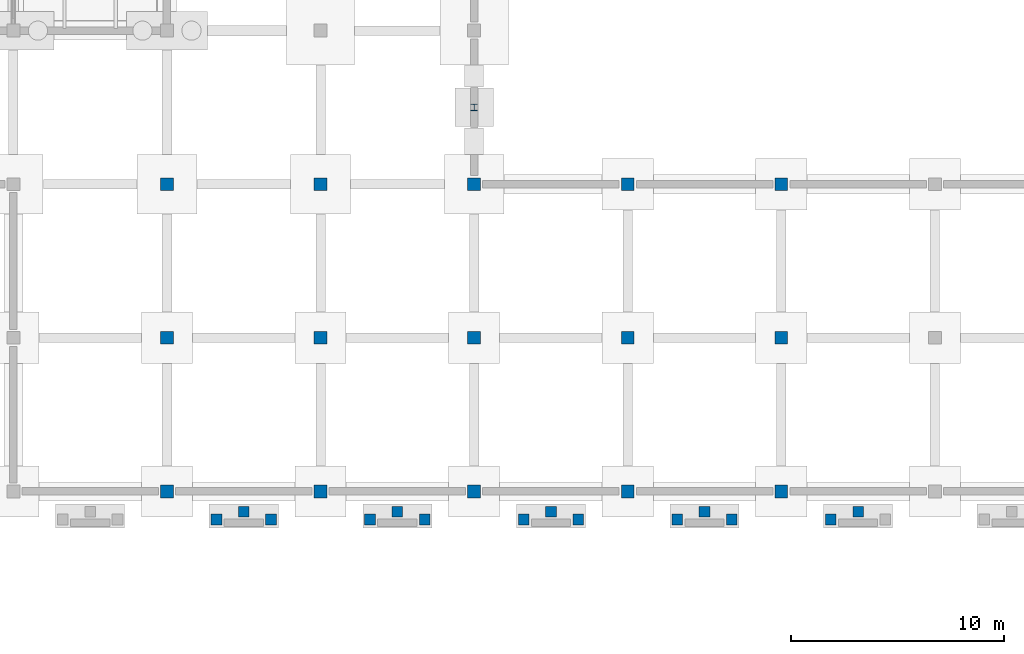
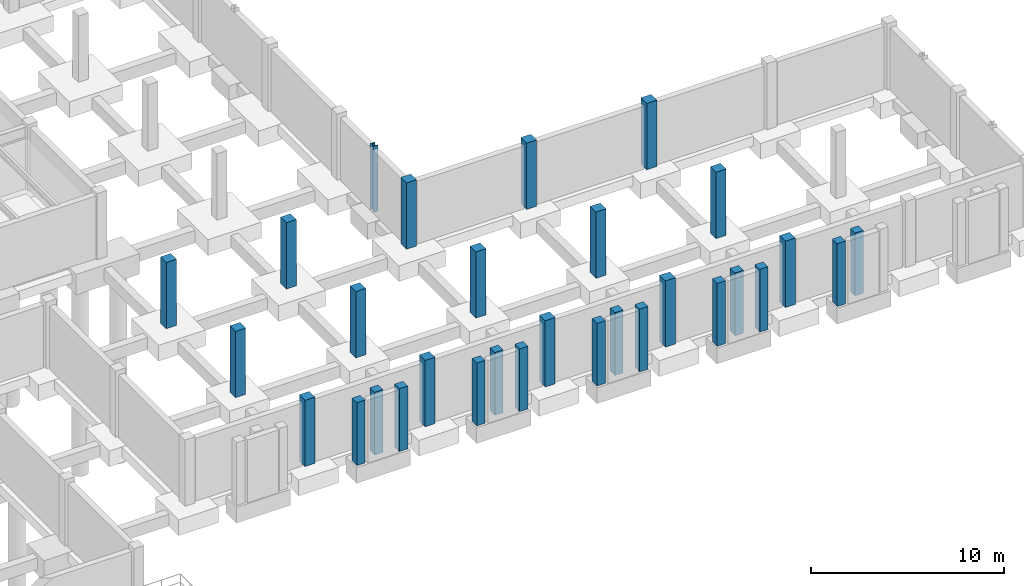
# One storey, part 20 of 46: 30 columns.
"""IFC4 building model written with IfcOpenShell, lengths in metres."""

import ifcopenshell
import ifcopenshell.guid

model = None  # the IFC model being written
_history = None  # IfcOwnerHistory: only IFC2X3 demands one
_inside = {}  # id of a spatial element -> (the spatial element, [elements in it])
_under = {}  # id of a project, library or spatial element -> (it, [spatial elements below it])
_declared = {}  # id of a project -> (the project, [libraries it declares])
_typed = {}  # id of a type object -> (the type object, [elements of that type])
_made_of = {}  # id of a material, layer set ... -> (it, [elements and type objects made of it])


def new_model(schema):
    """Start an empty IFC model of exactly this schema.

    Asked for "IFC4X3", IfcOpenShell would pick the latest addendum, in which some entities
    have other attributes; the version numbers below select the first issue.
    IFC2X3 requires an IfcOwnerHistory on every rooted entity: one is made here for all.
    """
    global model, _history
    if schema == "IFC4X3":
        model = ifcopenshell.file(schema_version=(4, 3, 0, 0))
    else:
        model = ifcopenshell.file(schema=schema)
    _inside.clear()
    _under.clear()
    _declared.clear()
    _typed.clear()
    _made_of.clear()
    _history = None
    if model.schema == "IFC2X3":
        org = make("IfcOrganization", Name="unknown")
        user = make(
            "IfcPersonAndOrganization",
            ThePerson=make("IfcPerson", FamilyName="unknown"),
            TheOrganization=org,
        )
        app = make(
            "IfcApplication",
            ApplicationDeveloper=org,
            Version="unknown",
            ApplicationFullName="unknown",
            ApplicationIdentifier="unknown",
        )
        _history = make(
            "IfcOwnerHistory",
            OwningUser=user,
            OwningApplication=app,
            ChangeAction="ADDED",
            CreationDate=0,
        )
    return model


def make(cls, **values):
    """One entity of the class cls with the attributes given. An attribute that is None is left unset."""
    return model.create_entity(
        cls, **{name: value for name, value in values.items() if value is not None}
    )


def rooted(cls, **values):
    """An entity with a GlobalId (a new one), such as an element, a storey or a relation."""
    return make(cls, GlobalId=ifcopenshell.guid.new(), OwnerHistory=_history, **values)


def si_unit(unit_type, name, prefix=None):
    """IfcSIUnit, for example si_unit("LENGTHUNIT", "METRE", prefix="MILLI")."""
    return make("IfcSIUnit", UnitType=unit_type, Prefix=prefix, Name=name)


def assignment(units):
    """IfcUnitAssignment: the units of a project."""
    return None if units is None else make("IfcUnitAssignment", Units=units)


def point(xyz):
    """IfcCartesianPoint."""
    return None if xyz is None else make("IfcCartesianPoint", Coordinates=xyz)


def direction(xyz):
    """IfcDirection."""
    return None if xyz is None else make("IfcDirection", DirectionRatios=xyz)


def frame(location, z_axis=None, x_axis=None):
    """IfcAxis2Placement3D, a coordinate frame: its origin and axes. An axis left out is left unset."""
    return make(
        "IfcAxis2Placement3D",
        Location=point(location),
        Axis=direction(z_axis),
        RefDirection=direction(x_axis),
    )


def frame_2d(location, x_axis=None):
    """IfcAxis2Placement2D, a coordinate frame in the plane: its origin and x axis."""
    return make(
        "IfcAxis2Placement2D", Location=point(location), RefDirection=direction(x_axis)
    )


def origin():
    """The frame at (0, 0, 0) with its axes left unset."""
    return frame((0.0, 0.0, 0.0))


def origin_2d():
    """The frame at (0, 0) in the plane with its x axis left unset."""
    return frame_2d((0.0, 0.0))


def place(relative_to, where):
    """IfcLocalPlacement: puts the frame where relative to a parent placement (None: the world)."""
    return make(
        "IfcLocalPlacement", PlacementRelTo=relative_to, RelativePlacement=where
    )


def context(
    kind, dimensions, precision=None, world=None, true_north=None, identifier=None
):
    """IfcGeometricRepresentationContext, for example the 3D "Model" context."""
    return make(
        "IfcGeometricRepresentationContext",
        ContextIdentifier=identifier,
        ContextType=kind,
        CoordinateSpaceDimension=dimensions,
        Precision=precision,
        WorldCoordinateSystem=world,
        TrueNorth=true_north,
    )


def subcontext(parent, identifier, kind, view, scale=None):
    """IfcGeometricRepresentationSubContext, for example "Body" below "Model"."""
    return make(
        "IfcGeometricRepresentationSubContext",
        ContextIdentifier=identifier,
        ContextType=kind,
        ParentContext=parent,
        TargetScale=scale,
        TargetView=view,
    )


def project(units=None, contexts=None):
    """IfcProject with its units and contexts."""
    return rooted(
        "IfcProject",
        Name="project",
        RepresentationContexts=contexts,
        UnitsInContext=assignment(units),
    )


def spatial(cls, under=None, at=None, **own):
    """A site, building, storey or space (cls), placed at a placement, below another one or the project."""
    s = rooted(cls, ObjectPlacement=at, **own)
    if under is not None:
        _under.setdefault(under.id(), (under, []))[1].append(s)
    return s


def profile(cls, at=None, kind="AREA", **sizes):
    """A parametric profile (cls). Its sizes go by their IFC names, for example OverallWidth=200.0."""
    return make(cls, ProfileType=kind, Position=at, **sizes)


def rectangle(**sizes):
    """IfcRectangleProfileDef."""
    return profile("IfcRectangleProfileDef", **sizes)


def i_section(**sizes):
    """IfcIShapeProfileDef."""
    return profile("IfcIShapeProfileDef", **sizes)


def extrude(swept, where, along, depth):
    """IfcExtrudedAreaSolid: the profile swept, set in the frame where, extruded along a direction by depth."""
    return make(
        "IfcExtrudedAreaSolid",
        SweptArea=swept,
        Position=where,
        ExtrudedDirection=direction(along),
        Depth=depth,
    )


def shape(context_of_items, identifier, shape_type, items):
    """IfcShapeRepresentation: the items that make up one representation, for example the "Body"."""
    return make(
        "IfcShapeRepresentation",
        ContextOfItems=context_of_items,
        RepresentationIdentifier=identifier,
        RepresentationType=shape_type,
        Items=items,
    )


def material(Name=None, Category=None):
    """IfcMaterial."""
    return make("IfcMaterial", Name=Name, Category=Category)


def material_profile(
    of_material, cross_section, Name=None, Category=None, Priority=None
):
    """IfcMaterialProfile: a cross section and its material."""
    return make(
        "IfcMaterialProfile",
        Name=Name,
        Material=of_material,
        Profile=cross_section,
        Priority=Priority,
        Category=Category,
    )


def profile_set(profiles, Name=None, composite=None):
    """IfcMaterialProfileSet."""
    return make(
        "IfcMaterialProfileSet",
        Name=Name,
        MaterialProfiles=profiles,
        CompositeProfile=composite,
    )


def made_of(thing, what):
    """Note that an element or type object is made of a material, layer set ...; save() writes the relation."""
    if what is not None:
        _made_of.setdefault(what.id(), (what, []))[1].append(thing)
    return thing


def type_object(cls, material=None, **own):
    """A type object (cls), such as IfcWallType, which elements share."""
    return made_of(rooted(cls, **own), material)


def element(
    cls,
    number,
    at=None,
    inside=None,
    cuts=None,
    type_object=None,
    material=None,
    context=None,
    identifier="Body",
    shape_type=None,
    held_by="IfcProductDefinitionShape",
    body=None,
    shapes=None,
    **own,
):
    """One element of the class cls, such as IfcWall. Its Tag is "e" and its number.

    at: its placement. inside: the storey or other place that contains it. cuts: it is an
    opening in that element (IfcRelVoidsElement). A single representation is given by context,
    identifier, shape_type and body (its items); several are given by shapes. held_by: the class
    of the entity that holds the representations. save() writes the other relations.
    """
    e = rooted(cls, Tag="e%d" % number, ObjectPlacement=at, **own)
    if body is not None:
        shapes = [shape(context, identifier, shape_type, body)]
    if shapes is not None:
        e.Representation = make(held_by, Representations=shapes)
    if inside is not None:
        _inside.setdefault(inside.id(), (inside, []))[1].append(e)
    if cuts is not None:
        rooted(
            "IfcRelVoidsElement", RelatingBuildingElement=cuts, RelatedOpeningElement=e
        )
    if type_object is not None:
        _typed.setdefault(type_object.id(), (type_object, []))[1].append(e)
    return made_of(e, material)


def aggregate(whole, parts):
    """IfcRelAggregates: a whole, such as a stair, and the parts it consists of."""
    return rooted("IfcRelAggregates", RelatingObject=whole, RelatedObjects=parts)


def save(model, path):
    """Write the relations noted so far, then the file.

    IfcRelAggregates (storeys below a building ...), IfcRelContainedInSpatialStructure (elements
    in a storey), IfcRelDefinesByType, IfcRelAssociatesMaterial and IfcRelDeclares: one each for
    every whole, place, type object, material and project.
    """
    for whole, parts in _under.values():
        aggregate(whole, parts)
    for where, things in _inside.values():
        rooted(
            "IfcRelContainedInSpatialStructure",
            RelatedElements=things,
            RelatingStructure=where,
        )
    for kind, things in _typed.values():
        rooted("IfcRelDefinesByType", RelatedObjects=things, RelatingType=kind)
    for what, things in _made_of.values():
        rooted("IfcRelAssociatesMaterial", RelatedObjects=things, RelatingMaterial=what)
    for by, libraries in _declared.values():
        rooted("IfcRelDeclares", RelatingContext=by, RelatedDefinitions=libraries)
    model.write(path)


model = new_model("IFC4")

# Units and contexts
model_context = context("Model", 3, precision=1e-05, world=origin(), true_north=direction((0.0, 1.0)))
body_context = subcontext(model_context, "Body", "Model", "MODEL_VIEW")
ifc_project = project(units=[si_unit("LENGTHUNIT", "METRE"), si_unit("AREAUNIT", "SQUARE_METRE"), si_unit("VOLUMEUNIT", "CUBIC_METRE"), si_unit("PLANEANGLEUNIT", "RADIAN"), si_unit("MASSUNIT", "GRAM", prefix="KILO")], contexts=[model_context])

# Site, building, storey
site_placement = place(None, origin())
site = spatial("IfcSite", under=ifc_project, at=site_placement, CompositionType="ELEMENT")
building_placement = place(site_placement, origin())
building = spatial("IfcBuilding", under=site, at=building_placement, Name="Sillqori Civic Hall", CompositionType="ELEMENT")
storey_placement = place(building_placement, frame((0.0, 0.0, -4.199951171875)))
storey = spatial("IfcBuildingStorey", under=building, at=storey_placement, Name="B01", CompositionType="ELEMENT", Elevation=-4.199951171875)

# Columns
ifc_material_1 = material(Name="Concrete C35/45 (H35)", Category="concrete")
ifc_material_profile_1 = material_profile(ifc_material_1, rectangle(XDim=0.5, YDim=0.5, at=origin_2d()), Name="RC 500x500")
ifc_profile_set_1 = profile_set([ifc_material_profile_1], Name="Concrete C35/45 (H35)")
column_type_1 = type_object("IfcColumnType", Name="COL-RC500", PredefinedType="COLUMN", material=ifc_profile_set_1)
for number, where, z_axis, x_axis, name in (
    (1, (131.919921875, 13.080078125, 0.0), (0.0, 0.0, 1.0), (1.0, 0.0, 0.0), "Members Library Pavilion Entrance subgrade pier 1"),
    (2, (134.47998046875, 13.080078125, 0.0), (0.0, 0.0, 1.0), (1.0, 0.0, 0.0), "Members Library Pavilion Entrance subgrade pier 2"),
    (3, (133.199951171875, 13.43994140625, 0.0), (0.0, 0.0, 1.0), (1.0, 0.0, 0.0), "Members Library Pavilion Entrance subgrade pier 3"),
    (4, (139.1201171875, 13.080078125, 0.0), (0.0, 0.0, 1.0), (1.0, 0.0, 0.0), "Members Library Central Portal subgrade pier 1"),
    (5, (141.679931640625, 13.080078125, 0.0), (0.0, 0.0, 1.0), (1.0, 0.0, 0.0), "Members Library Central Portal subgrade pier 2"),
    (6, (140.39990234375, 13.43994140625, 0.0), (0.0, 0.0, 1.0), (1.0, 0.0, 0.0), "Members Library Central Portal subgrade pier 3"),
    (7, (146.320068359375, 13.080078125, 0.0), (0.0, 0.0, 1.0), (1.0, 0.0, 0.0), "Library Garden East Promenade Exit subgrade pier 1"),
    (8, (148.8798828125, 13.080078125, 0.0), (0.0, 0.0, 1.0), (1.0, 0.0, 0.0), "Library Garden East Promenade Exit subgrade pier 2"),
    (9, (147.60009765625, 13.43994140625, 0.0), (0.0, 0.0, 1.0), (1.0, 0.0, 0.0), "Library Garden East Promenade Exit subgrade pier 3"),
    (10, (153.52001953125, 13.080078125, 0.0), (0.0, 0.0, 1.0), (1.0, 0.0, 0.0), "Library Cloister South Exit subgrade pier 1"),
    (11, (156.080078125, 13.080078125, 0.0), (0.0, 0.0, 1.0), (1.0, 0.0, 0.0), "Library Cloister South Exit subgrade pier 2"),
    (12, (154.800048828125, 13.43994140625, 0.0), (0.0, 0.0, 1.0), (1.0, 0.0, 0.0), "Library Cloister South Exit subgrade pier 3"),
    (13, (160.719970703125, 13.080078125, 0.0), (0.0, 0.0, 1.0), (1.0, 0.0, 0.0), "Library Archive Garden Portal subgrade pier 1"),
    (14, (162.0, 13.43994140625, 0.0), (0.0, 0.0, 1.0), (1.0, 0.0, 0.0), "Library Archive Garden Portal subgrade pier 3"),
):
    element("IfcColumn", number, at=place(storey_placement, frame(where, z_axis=z_axis, x_axis=x_axis)), inside=storey, type_object=column_type_1, Name=name, PredefinedType="COLUMN", context=body_context, shape_type="SweptSolid", body=[
        extrude(rectangle(XDim=0.5, YDim=0.5, at=origin_2d()), origin(), (0.0, 0.0, 1.0), 3.97998046875),
    ])
ifc_material_profile_2 = material_profile(ifc_material_1, rectangle(XDim=0.60009765625, YDim=0.60009765625, at=origin_2d()), Name="RC 600x600")
ifc_profile_set_2 = profile_set([ifc_material_profile_2], Name="Concrete C35/45 (H35)")
column_type_2 = type_object("IfcColumnType", Name="COL-RC600", PredefinedType="COLUMN", material=ifc_profile_set_2)
for number, where, z_axis, x_axis, name in (
    (15, (129.60009765625, 14.39990234375, 0.0), (0.0, 0.0, 1.0), (1.0, 0.0, 0.0), "B01 column 18-2"),
    (16, (129.60009765625, 21.60009765625, 0.0), (0.0, 0.0, 1.0), (1.0, 0.0, 0.0), "B01 column 18-3"),
    (17, (129.60009765625, 28.800048828125, 0.0), (0.0, 0.0, 1.0), (1.0, 0.0, 0.0), "B01 column 18-4"),
    (18, (136.800048828125, 14.39990234375, 0.0), (0.0, 0.0, 1.0), (1.0, 0.0, 0.0), "B01 column 19-2"),
    (19, (136.800048828125, 21.60009765625, 0.0), (0.0, 0.0, 1.0), (1.0, 0.0, 0.0), "B01 column 19-3"),
    (20, (136.800048828125, 28.800048828125, 0.0), (0.0, 0.0, 1.0), (1.0, 0.0, 0.0), "B01 column 19-4"),
    (21, (144.0, 14.39990234375, 0.0), (0.0, 0.0, 1.0), (1.0, 0.0, 0.0), "B01 column 20-2"),
    (22, (144.0, 21.60009765625, 0.0), (0.0, 0.0, 1.0), (1.0, 0.0, 0.0), "B01 column 20-3"),
    (23, (144.0, 28.800048828125, 0.0), (0.0, 0.0, 1.0), (1.0, 0.0, 0.0), "B01 column 20-4"),
    (24, (151.199951171875, 14.39990234375, 0.0), (0.0, 0.0, 1.0), (1.0, 0.0, 0.0), "B01 column 21-2"),
    (25, (151.199951171875, 21.60009765625, 0.0), (0.0, 0.0, 1.0), (1.0, 0.0, 0.0), "B01 column 21-3"),
    (26, (151.199951171875, 28.800048828125, 0.0), (0.0, 0.0, 1.0), (1.0, 0.0, 0.0), "B01 column 21-4"),
    (27, (158.39990234375, 14.39990234375, 0.0), (0.0, 0.0, 1.0), (1.0, 0.0, 0.0), "B01 column 22-2"),
    (28, (158.39990234375, 21.60009765625, 0.0), (0.0, 0.0, 1.0), (1.0, 0.0, 0.0), "B01 column 22-3"),
    (29, (158.39990234375, 28.800048828125, 0.0), (0.0, 0.0, 1.0), (1.0, 0.0, 0.0), "B01 column 22-4"),
):
    element("IfcColumn", number, at=place(storey_placement, frame(where, z_axis=z_axis, x_axis=x_axis)), inside=storey, type_object=column_type_2, Name=name, PredefinedType="COLUMN", context=body_context, shape_type="SweptSolid", body=[
        extrude(rectangle(XDim=0.60009765625, YDim=0.60009765625, at=origin_2d()), origin(), (0.0, 0.0, 1.0), 4.199951171875),
    ])
ifc_material_2 = material(Name="Steel ASTM A992", Category="steel")
ifc_material_profile_3 = material_profile(ifc_material_2, i_section(OverallWidth=0.304931640625, OverallDepth=0.306884765625, WebThickness=0.010009765625, FlangeThickness=0.015380859375, FilletRadius=0.014892578125, at=origin_2d()), Name="W12X65")
ifc_profile_set_3 = profile_set([ifc_material_profile_3], Name="Steel ASTM A992")
column_type_3 = type_object("IfcColumnType", Name="PIL-W12X65", PredefinedType="PILASTER", material=ifc_profile_set_3)
column_placement = place(storey_placement, frame((144.0, 32.39990234375, 0.0), z_axis=(0.0, 0.0, 1.0), x_axis=(1.0, 0.0, 0.0)))
element("IfcColumn", 30, at=column_placement, inside=storey, type_object=column_type_3, Name="B01 facade pilaster 08", PredefinedType="PILASTER", context=body_context, shape_type="SweptSolid", body=[
    extrude(i_section(OverallWidth=0.304931640625, OverallDepth=0.306884765625, WebThickness=0.010009765625, FlangeThickness=0.015380859375, FilletRadius=0.014892578125, at=origin_2d()), origin(), (0.0, 0.0, 1.0), 4.199951171875),
])

save(model, "model.ifc")
